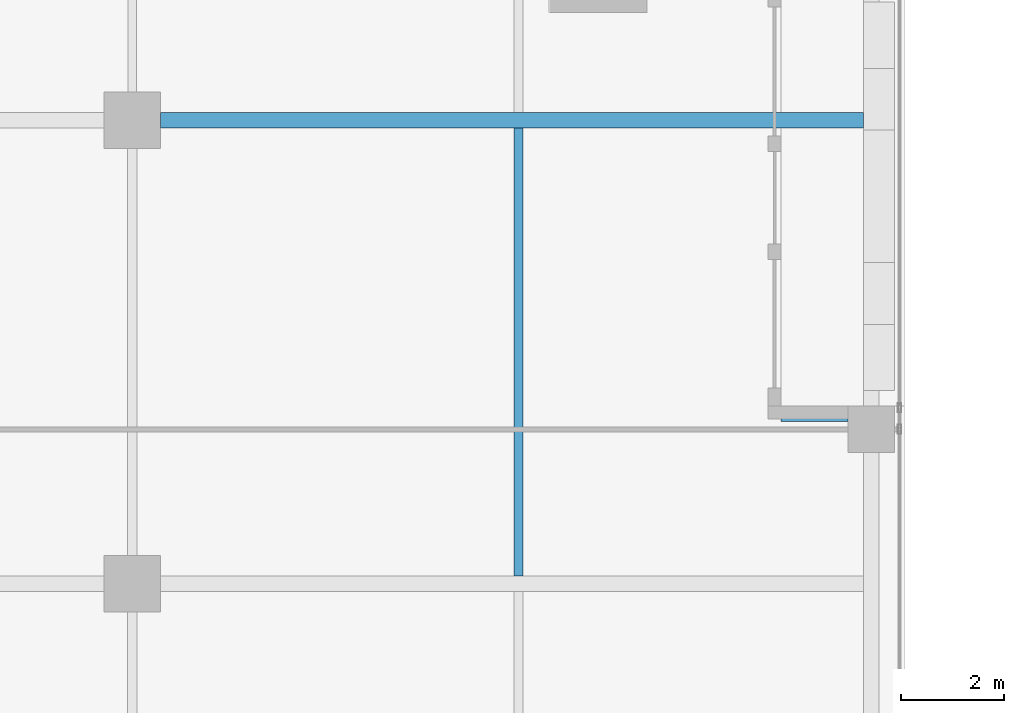
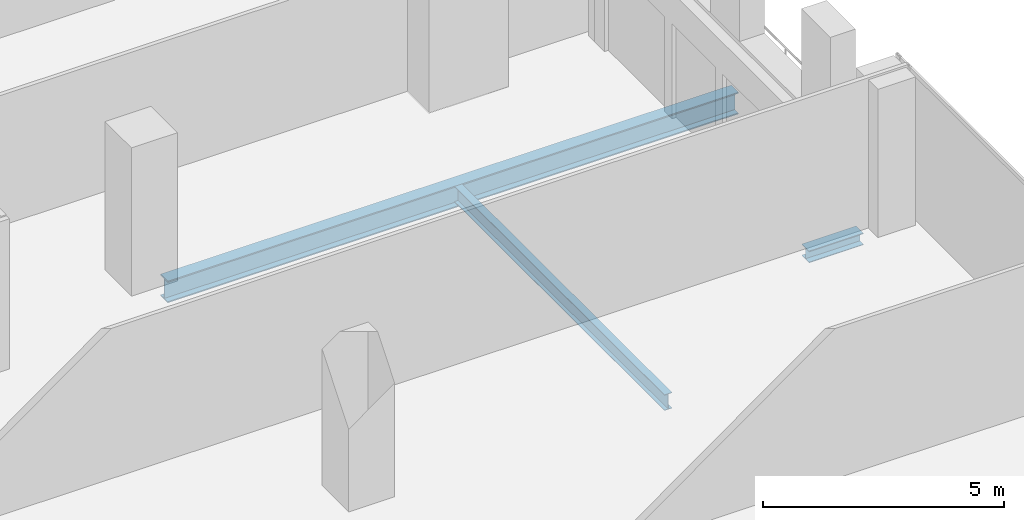
# One storey, part 20 of 35: 3 beams.
"""IFC4 building model written with IfcOpenShell, lengths in metres."""

import ifcopenshell
import ifcopenshell.guid

model = None  # the IFC model being written
_history = None  # IfcOwnerHistory: only IFC2X3 demands one
_inside = {}  # id of a spatial element -> (the spatial element, [elements in it])
_under = {}  # id of a project, library or spatial element -> (it, [spatial elements below it])
_declared = {}  # id of a project -> (the project, [libraries it declares])
_typed = {}  # id of a type object -> (the type object, [elements of that type])
_made_of = {}  # id of a material, layer set ... -> (it, [elements and type objects made of it])


def new_model(schema):
    """Start an empty IFC model of exactly this schema.

    Asked for "IFC4X3", IfcOpenShell would pick the latest addendum, in which some entities
    have other attributes; the version numbers below select the first issue.
    IFC2X3 requires an IfcOwnerHistory on every rooted entity: one is made here for all.
    """
    global model, _history
    if schema == "IFC4X3":
        model = ifcopenshell.file(schema_version=(4, 3, 0, 0))
    else:
        model = ifcopenshell.file(schema=schema)
    _inside.clear()
    _under.clear()
    _declared.clear()
    _typed.clear()
    _made_of.clear()
    _history = None
    if model.schema == "IFC2X3":
        org = make("IfcOrganization", Name="unknown")
        user = make(
            "IfcPersonAndOrganization",
            ThePerson=make("IfcPerson", FamilyName="unknown"),
            TheOrganization=org,
        )
        app = make(
            "IfcApplication",
            ApplicationDeveloper=org,
            Version="unknown",
            ApplicationFullName="unknown",
            ApplicationIdentifier="unknown",
        )
        _history = make(
            "IfcOwnerHistory",
            OwningUser=user,
            OwningApplication=app,
            ChangeAction="ADDED",
            CreationDate=0,
        )
    return model


def make(cls, **values):
    """One entity of the class cls with the attributes given. An attribute that is None is left unset."""
    return model.create_entity(
        cls, **{name: value for name, value in values.items() if value is not None}
    )


def rooted(cls, **values):
    """An entity with a GlobalId (a new one), such as an element, a storey or a relation."""
    return make(cls, GlobalId=ifcopenshell.guid.new(), OwnerHistory=_history, **values)


def si_unit(unit_type, name, prefix=None):
    """IfcSIUnit, for example si_unit("LENGTHUNIT", "METRE", prefix="MILLI")."""
    return make("IfcSIUnit", UnitType=unit_type, Prefix=prefix, Name=name)


def assignment(units):
    """IfcUnitAssignment: the units of a project."""
    return None if units is None else make("IfcUnitAssignment", Units=units)


def point(xyz):
    """IfcCartesianPoint."""
    return None if xyz is None else make("IfcCartesianPoint", Coordinates=xyz)


def direction(xyz):
    """IfcDirection."""
    return None if xyz is None else make("IfcDirection", DirectionRatios=xyz)


def frame(location, z_axis=None, x_axis=None):
    """IfcAxis2Placement3D, a coordinate frame: its origin and axes. An axis left out is left unset."""
    return make(
        "IfcAxis2Placement3D",
        Location=point(location),
        Axis=direction(z_axis),
        RefDirection=direction(x_axis),
    )


def frame_2d(location, x_axis=None):
    """IfcAxis2Placement2D, a coordinate frame in the plane: its origin and x axis."""
    return make(
        "IfcAxis2Placement2D", Location=point(location), RefDirection=direction(x_axis)
    )


def origin():
    """The frame at (0, 0, 0) with its axes left unset."""
    return frame((0.0, 0.0, 0.0))


def origin_2d():
    """The frame at (0, 0) in the plane with its x axis left unset."""
    return frame_2d((0.0, 0.0))


def place(relative_to, where):
    """IfcLocalPlacement: puts the frame where relative to a parent placement (None: the world)."""
    return make(
        "IfcLocalPlacement", PlacementRelTo=relative_to, RelativePlacement=where
    )


def context(
    kind, dimensions, precision=None, world=None, true_north=None, identifier=None
):
    """IfcGeometricRepresentationContext, for example the 3D "Model" context."""
    return make(
        "IfcGeometricRepresentationContext",
        ContextIdentifier=identifier,
        ContextType=kind,
        CoordinateSpaceDimension=dimensions,
        Precision=precision,
        WorldCoordinateSystem=world,
        TrueNorth=true_north,
    )


def subcontext(parent, identifier, kind, view, scale=None):
    """IfcGeometricRepresentationSubContext, for example "Body" below "Model"."""
    return make(
        "IfcGeometricRepresentationSubContext",
        ContextIdentifier=identifier,
        ContextType=kind,
        ParentContext=parent,
        TargetScale=scale,
        TargetView=view,
    )


def project(units=None, contexts=None):
    """IfcProject with its units and contexts."""
    return rooted(
        "IfcProject",
        Name="project",
        RepresentationContexts=contexts,
        UnitsInContext=assignment(units),
    )


def spatial(cls, under=None, at=None, **own):
    """A site, building, storey or space (cls), placed at a placement, below another one or the project."""
    s = rooted(cls, ObjectPlacement=at, **own)
    if under is not None:
        _under.setdefault(under.id(), (under, []))[1].append(s)
    return s


def profile(cls, at=None, kind="AREA", **sizes):
    """A parametric profile (cls). Its sizes go by their IFC names, for example OverallWidth=200.0."""
    return make(cls, ProfileType=kind, Position=at, **sizes)


def i_section(**sizes):
    """IfcIShapeProfileDef."""
    return profile("IfcIShapeProfileDef", **sizes)


def extrude(swept, where, along, depth):
    """IfcExtrudedAreaSolid: the profile swept, set in the frame where, extruded along a direction by depth."""
    return make(
        "IfcExtrudedAreaSolid",
        SweptArea=swept,
        Position=where,
        ExtrudedDirection=direction(along),
        Depth=depth,
    )


def shape(context_of_items, identifier, shape_type, items):
    """IfcShapeRepresentation: the items that make up one representation, for example the "Body"."""
    return make(
        "IfcShapeRepresentation",
        ContextOfItems=context_of_items,
        RepresentationIdentifier=identifier,
        RepresentationType=shape_type,
        Items=items,
    )


def source(mapping_origin, context_of_items, identifier, shape_type, items):
    """IfcRepresentationMap: a shape defined once, which mapped items show again and again."""
    return make(
        "IfcRepresentationMap",
        MappingOrigin=mapping_origin,
        MappedRepresentation=shape(context_of_items, identifier, shape_type, items),
    )


def transform(
    local_origin,
    x_axis=None,
    y_axis=None,
    z_axis=None,
    scale=None,
    scale2=None,
    scale3=None,
    uniform=True,
):
    """IfcCartesianTransformationOperator3D, or its non-uniform kind. x_axis, y_axis, z_axis: its Axis1, 2, 3."""
    if uniform:
        return make(
            "IfcCartesianTransformationOperator3D",
            Axis1=direction(x_axis),
            Axis2=direction(y_axis),
            LocalOrigin=point(local_origin),
            Scale=scale,
            Axis3=direction(z_axis),
        )
    return make(
        "IfcCartesianTransformationOperator3DnonUniform",
        Axis1=direction(x_axis),
        Axis2=direction(y_axis),
        LocalOrigin=point(local_origin),
        Scale=scale,
        Axis3=direction(z_axis),
        Scale2=scale2,
        Scale3=scale3,
    )


def mapped(mapping_source, mapping_target):
    """IfcMappedItem: shows the shape of a source again, moved by a transform."""
    return make(
        "IfcMappedItem", MappingSource=mapping_source, MappingTarget=mapping_target
    )


def material(Name=None, Category=None):
    """IfcMaterial."""
    return make("IfcMaterial", Name=Name, Category=Category)


def material_profile(
    of_material, cross_section, Name=None, Category=None, Priority=None
):
    """IfcMaterialProfile: a cross section and its material."""
    return make(
        "IfcMaterialProfile",
        Name=Name,
        Material=of_material,
        Profile=cross_section,
        Priority=Priority,
        Category=Category,
    )


def profile_set(profiles, Name=None, composite=None):
    """IfcMaterialProfileSet."""
    return make(
        "IfcMaterialProfileSet",
        Name=Name,
        MaterialProfiles=profiles,
        CompositeProfile=composite,
    )


def made_of(thing, what):
    """Note that an element or type object is made of a material, layer set ...; save() writes the relation."""
    if what is not None:
        _made_of.setdefault(what.id(), (what, []))[1].append(thing)
    return thing


def type_object(cls, material=None, **own):
    """A type object (cls), such as IfcWallType, which elements share."""
    return made_of(rooted(cls, **own), material)


def element(
    cls,
    number,
    at=None,
    inside=None,
    cuts=None,
    type_object=None,
    material=None,
    context=None,
    identifier="Body",
    shape_type=None,
    held_by="IfcProductDefinitionShape",
    body=None,
    shapes=None,
    **own,
):
    """One element of the class cls, such as IfcWall. Its Tag is "e" and its number.

    at: its placement. inside: the storey or other place that contains it. cuts: it is an
    opening in that element (IfcRelVoidsElement). A single representation is given by context,
    identifier, shape_type and body (its items); several are given by shapes. held_by: the class
    of the entity that holds the representations. save() writes the other relations.
    """
    e = rooted(cls, Tag="e%d" % number, ObjectPlacement=at, **own)
    if body is not None:
        shapes = [shape(context, identifier, shape_type, body)]
    if shapes is not None:
        e.Representation = make(held_by, Representations=shapes)
    if inside is not None:
        _inside.setdefault(inside.id(), (inside, []))[1].append(e)
    if cuts is not None:
        rooted(
            "IfcRelVoidsElement", RelatingBuildingElement=cuts, RelatedOpeningElement=e
        )
    if type_object is not None:
        _typed.setdefault(type_object.id(), (type_object, []))[1].append(e)
    return made_of(e, material)


def aggregate(whole, parts):
    """IfcRelAggregates: a whole, such as a stair, and the parts it consists of."""
    return rooted("IfcRelAggregates", RelatingObject=whole, RelatedObjects=parts)


def save(model, path):
    """Write the relations noted so far, then the file.

    IfcRelAggregates (storeys below a building ...), IfcRelContainedInSpatialStructure (elements
    in a storey), IfcRelDefinesByType, IfcRelAssociatesMaterial and IfcRelDeclares: one each for
    every whole, place, type object, material and project.
    """
    for whole, parts in _under.values():
        aggregate(whole, parts)
    for where, things in _inside.values():
        rooted(
            "IfcRelContainedInSpatialStructure",
            RelatedElements=things,
            RelatingStructure=where,
        )
    for kind, things in _typed.values():
        rooted("IfcRelDefinesByType", RelatedObjects=things, RelatingType=kind)
    for what, things in _made_of.values():
        rooted("IfcRelAssociatesMaterial", RelatedObjects=things, RelatingMaterial=what)
    for by, libraries in _declared.values():
        rooted("IfcRelDeclares", RelatingContext=by, RelatedDefinitions=libraries)
    model.write(path)


model = new_model("IFC4")

# Units and contexts
model_context = context("Model", 3, precision=1e-05, world=origin(), true_north=direction((0.0, 1.0)))
body_context = subcontext(model_context, "Body", "Model", "MODEL_VIEW")
ifc_project = project(units=[si_unit("LENGTHUNIT", "METRE"), si_unit("AREAUNIT", "SQUARE_METRE"), si_unit("VOLUMEUNIT", "CUBIC_METRE"), si_unit("PLANEANGLEUNIT", "RADIAN"), si_unit("MASSUNIT", "GRAM", prefix="KILO")], contexts=[model_context])

# Site, building, storey
site_placement = place(None, origin())
site = spatial("IfcSite", under=ifc_project, at=site_placement, CompositionType="ELEMENT")
building_placement = place(site_placement, origin())
building = spatial("IfcBuilding", under=site, at=building_placement, Name="Khomas Fold Tower", CompositionType="ELEMENT")
storey_placement = place(building_placement, frame((0.0, 0.0, 250.199951171875)))
storey = spatial("IfcBuildingStorey", under=building, at=storey_placement, Name="L56", CompositionType="ELEMENT", Elevation=250.199951171875)

# Beams
ifc_material_1 = material(Name="Steel S355", Category="steel")
ifc_material_profile_1 = material_profile(ifc_material_1, i_section(OverallWidth=0.179931640625, OverallDepth=0.39990234375, WebThickness=0.008544921875, FlangeThickness=0.013427734375, at=origin_2d()), Name="IPE 400")
ifc_profile_set_1 = profile_set([ifc_material_profile_1], Name="Steel S355")
beam_type_1 = type_object("IfcBeamType", Name="IPE 400 beam JB3", PredefinedType="BEAM", material=ifc_profile_set_1)
shared_shape_1 = source(origin(), body_context, "Body", "SweptSolid", [
    extrude(i_section(OverallWidth=0.179931640625, OverallDepth=0.39990234375, WebThickness=0.008544921875, FlangeThickness=0.013427734375, at=origin_2d()), origin(), (0.0, 0.0, 1.0), 8.7001953125),
])
beam_1_placement = place(storey_placement, frame((42.0, 31.64990234375, -0.449951171875), z_axis=(0.0, 1.0, 0.0), x_axis=(-1.0, 0.0, 0.0)))
element("IfcBeam", 1, at=beam_1_placement, inside=storey, type_object=beam_type_1, Name="JB3", PredefinedType="BEAM", context=body_context, shape_type="MappedRepresentation", body=[
    mapped(shared_shape_1, transform((0.0, 0.0, 0.0))),
])
ifc_material_2 = material(Name="Steel S355", Category="steel")
ifc_material_profile_2 = material_profile(ifc_material_2, i_section(OverallWidth=0.300048828125, OverallDepth=0.550048828125, WebThickness=0.014892578125, FlangeThickness=0.029052734375, at=origin_2d()), Name="HE 550 B")
ifc_profile_set_2 = profile_set([ifc_material_profile_2], Name="Steel S355")
beam_type_2 = type_object("IfcBeamType", Name="HE 550 B beam GB4", PredefinedType="BEAM", material=ifc_profile_set_2)
shared_shape_2 = source(origin(), body_context, "Body", "SweptSolid", [
    extrude(i_section(OverallWidth=0.300048828125, OverallDepth=0.550048828125, WebThickness=0.014892578125, FlangeThickness=0.029052734375, at=origin_2d()), origin(), (0.0, 0.0, 1.0), 13.64990234375),
])
beam_2_placement = place(storey_placement, frame((35.050048828125, 40.5, -0.52490234375), z_axis=(1.0, 0.0, 0.0), x_axis=(0.0, 1.0, 0.0)))
element("IfcBeam", 2, at=beam_2_placement, inside=storey, type_object=beam_type_2, Name="GB4", PredefinedType="BEAM", context=body_context, shape_type="MappedRepresentation", body=[
    mapped(shared_shape_2, transform((0.0, 0.0, 0.0))),
])
ifc_material_3 = material(Name="Steel S355", Category="steel")
ifc_material_profile_3 = material_profile(ifc_material_3, i_section(OverallWidth=0.300048828125, OverallDepth=0.300048828125, WebThickness=0.010986328125, FlangeThickness=0.01904296875, at=origin_2d()), Name="HE 300 B")
ifc_profile_set_3 = profile_set([ifc_material_profile_3], Name="Steel S355")
beam_type_3 = type_object("IfcBeamType", Name="HE 300 B beam BB1", PredefinedType="BEAM", material=ifc_profile_set_3)
shared_shape_3 = source(origin(), body_context, "Body", "SweptSolid", [
    extrude(i_section(OverallWidth=0.300048828125, OverallDepth=0.300048828125, WebThickness=0.010986328125, FlangeThickness=0.01904296875, at=origin_2d()), origin(), (0.0, 0.0, 1.0), 1.2998046875),
])
beam_3_placement = place(storey_placement, frame((47.10009765625, 34.800048828125, -0.39990234375), z_axis=(1.0, 0.0, 0.0), x_axis=(0.0, 1.0, 0.0)))
element("IfcBeam", 3, at=beam_3_placement, inside=storey, type_object=beam_type_3, Name="BB1", PredefinedType="BEAM", context=body_context, shape_type="MappedRepresentation", body=[
    mapped(shared_shape_3, transform((0.0, 0.0, 0.0))),
])

save(model, "model.ifc")
